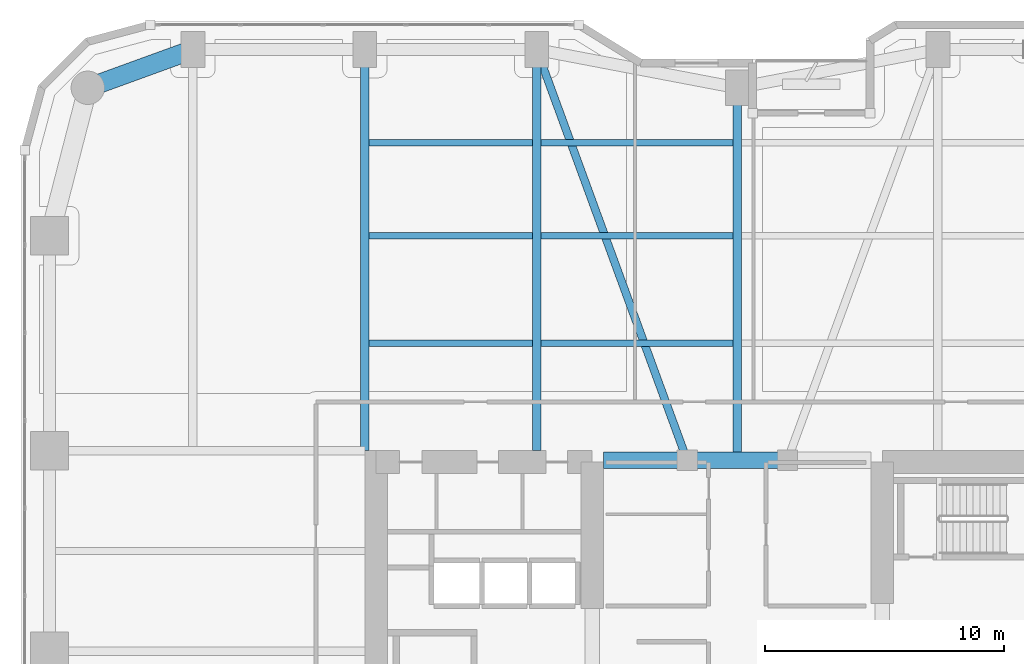
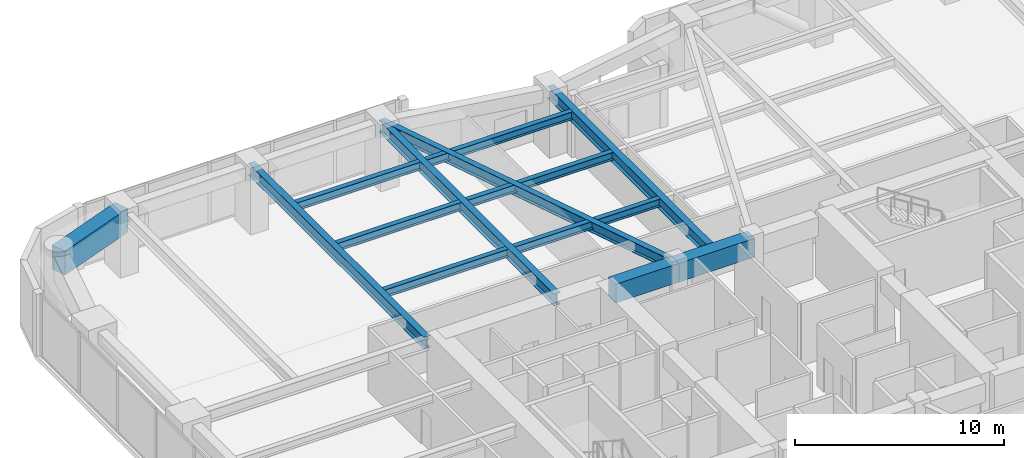
# One storey, part 15 of 29: 13 beams.
"""IFC4 building model written with IfcOpenShell, lengths in metres."""

from ifc_helpers import new_model, si_unit, direction, frame, origin, origin_2d, place, context, subcontext, project, spatial, rectangle, i_section, extrude, material, material_profile, profile_set, type_object, element, save


model = new_model("IFC4")

# Units and contexts
model_context = context("Model", 3, precision=1e-05, world=origin(), true_north=direction((0.0, 1.0)))
body_context = subcontext(model_context, "Body", "Model", "MODEL_VIEW")
ifc_project = project(units=[si_unit("LENGTHUNIT", "METRE"), si_unit("AREAUNIT", "SQUARE_METRE"), si_unit("VOLUMEUNIT", "CUBIC_METRE"), si_unit("PLANEANGLEUNIT", "RADIAN"), si_unit("MASSUNIT", "GRAM", prefix="KILO")], contexts=[model_context])

# Site, building, storey
site_placement = place(None, origin())
site = spatial("IfcSite", under=ifc_project, at=site_placement, CompositionType="ELEMENT")
building_placement = place(site_placement, origin())
building = spatial("IfcBuilding", under=site, at=building_placement, Name="Kiyonajd Concourse Tower", CompositionType="ELEMENT")
storey_placement = place(building_placement, frame((0.0, 0.0, 25.5)))
storey = spatial("IfcBuildingStorey", under=building, at=storey_placement, Name="L07", CompositionType="ELEMENT", Elevation=25.5)

# Beams
ifc_material_1 = material(Name="Concrete C70/85", Category="concrete")
ifc_material_profile_1 = material_profile(ifc_material_1, rectangle(XDim=0.699951171875, YDim=1.10009765625, at=origin_2d()), Name="RCBM-700x1100")
ifc_profile_set_1 = profile_set([ifc_material_profile_1], Name="Concrete C70/85")
beam_type_1 = type_object("IfcBeamType", Name="BM-COUP-1100", PredefinedType="LINTEL", material=ifc_profile_set_1)
beam_1_placement = place(storey_placement, frame((42.39990234375, 44.0, 3.090087890625), z_axis=(1.0, 0.0, 0.0), x_axis=(0.0, 1.0, 0.0)))
element("IfcBeam", 1, at=beam_1_placement, inside=storey, type_object=beam_type_1, Name="L07 Core Coupling Beam N1", PredefinedType="LINTEL", context=body_context, shape_type="SweptSolid", body=[
    extrude(rectangle(XDim=0.699951171875, YDim=1.10009765625, at=origin_2d()), origin(), (0.0, 0.0, 1.0), 3.5),
])
beam_2_placement = place(storey_placement, frame((45.89990234375, 44.0, 3.090087890625), z_axis=(1.0, 0.0, 0.0), x_axis=(0.0, 1.0, 0.0)))
element("IfcBeam", 2, at=beam_2_placement, inside=storey, type_object=beam_type_1, Name="L07 Core Coupling Beam N2", PredefinedType="LINTEL", context=body_context, shape_type="SweptSolid", body=[
    extrude(rectangle(XDim=0.699951171875, YDim=1.10009765625, at=origin_2d()), origin(), (0.0, 0.0, 1.0), 4.2001953125),
])
ifc_material_2 = material(Name="Steel ASTM A992 Grade 50", Category="steel")
ifc_material_profile_2 = material_profile(ifc_material_2, i_section(OverallWidth=0.280029296875, OverallDepth=0.462890625, WebThickness=0.0107421875, FlangeThickness=0.017333984375, at=origin_2d()), Name="W460X113")
ifc_profile_set_2 = profile_set([ifc_material_profile_2], Name="Steel ASTM A992 Grade 50")
beam_type_2 = type_object("IfcBeamType", Name="BM-JST-460A", PredefinedType="JOIST", material=ifc_profile_set_2)
beam_3_placement = place(storey_placement, frame((32.577392578125, 48.89990234375, 3.408447265625), z_axis=(1.0, 0.0, 0.0), x_axis=(0.0, 1.0, 0.0)))
element("IfcBeam", 3, at=beam_3_placement, inside=storey, type_object=beam_type_2, Name="L07 Secondary Floor Joist", PredefinedType="JOIST", context=body_context, shape_type="SweptSolid", body=[
    extrude(i_section(OverallWidth=0.280029296875, OverallDepth=0.462890625, WebThickness=0.0107421875, FlangeThickness=0.017333984375, at=origin_2d()), origin(), (0.0, 0.0, 1.0), 6.84521484375),
])
beam_4_placement = place(storey_placement, frame((39.777587890625, 48.89990234375, 3.408447265625), z_axis=(1.0, 0.0, 0.0), x_axis=(0.0, 1.0, 0.0)))
element("IfcBeam", 4, at=beam_4_placement, inside=storey, type_object=beam_type_2, Name="L07 Secondary Floor Joist", PredefinedType="JOIST", context=body_context, shape_type="SweptSolid", body=[
    extrude(i_section(OverallWidth=0.280029296875, OverallDepth=0.462890625, WebThickness=0.0107421875, FlangeThickness=0.017333984375, at=origin_2d()), origin(), (0.0, 0.0, 1.0), 8.044921875),
])
beam_5_placement = place(storey_placement, frame((32.577392578125, 53.39990234375, 3.408447265625), z_axis=(1.0, 0.0, 0.0), x_axis=(0.0, 1.0, 0.0)))
element("IfcBeam", 5, at=beam_5_placement, inside=storey, type_object=beam_type_2, Name="L07 Secondary Floor Joist", PredefinedType="JOIST", context=body_context, shape_type="SweptSolid", body=[
    extrude(i_section(OverallWidth=0.280029296875, OverallDepth=0.462890625, WebThickness=0.0107421875, FlangeThickness=0.017333984375, at=origin_2d()), origin(), (0.0, 0.0, 1.0), 6.84521484375),
])
beam_6_placement = place(storey_placement, frame((39.777587890625, 53.39990234375, 3.408447265625), z_axis=(1.0, 0.0, 0.0), x_axis=(0.0, 1.0, 0.0)))
element("IfcBeam", 6, at=beam_6_placement, inside=storey, type_object=beam_type_2, Name="L07 Secondary Floor Joist", PredefinedType="JOIST", context=body_context, shape_type="SweptSolid", body=[
    extrude(i_section(OverallWidth=0.280029296875, OverallDepth=0.462890625, WebThickness=0.0107421875, FlangeThickness=0.017333984375, at=origin_2d()), origin(), (0.0, 0.0, 1.0), 8.044921875),
])
beam_7_placement = place(storey_placement, frame((32.577392578125, 57.300048828125, 3.408447265625), z_axis=(1.0, 0.0, 0.0), x_axis=(0.0, 1.0, 0.0)))
element("IfcBeam", 7, at=beam_7_placement, inside=storey, type_object=beam_type_2, Name="L07 Secondary Floor Joist", PredefinedType="JOIST", context=body_context, shape_type="SweptSolid", body=[
    extrude(i_section(OverallWidth=0.280029296875, OverallDepth=0.462890625, WebThickness=0.0107421875, FlangeThickness=0.017333984375, at=origin_2d()), origin(), (0.0, 0.0, 1.0), 6.84521484375),
])
beam_8_placement = place(storey_placement, frame((39.777587890625, 57.300048828125, 3.408447265625), z_axis=(1.0, 0.0, 0.0), x_axis=(0.0, 1.0, 0.0)))
element("IfcBeam", 8, at=beam_8_placement, inside=storey, type_object=beam_type_2, Name="L07 Secondary Floor Joist", PredefinedType="JOIST", context=body_context, shape_type="SweptSolid", body=[
    extrude(i_section(OverallWidth=0.280029296875, OverallDepth=0.462890625, WebThickness=0.0107421875, FlangeThickness=0.017333984375, at=origin_2d()), origin(), (0.0, 0.0, 1.0), 8.044921875),
])
ifc_material_profile_3 = material_profile(ifc_material_2, i_section(OverallWidth=0.326904296875, OverallDepth=0.6220703125, WebThickness=0.015380859375, FlangeThickness=0.0244140625, at=origin_2d()), Name="W610X195")
ifc_profile_set_3 = profile_set([ifc_material_profile_3], Name="Steel ASTM A992 Grade 50")
beam_type_3 = type_object("IfcBeamType", Name="BM-TWR-610A", PredefinedType="BEAM", material=ifc_profile_set_3)
beam_9_placement = place(storey_placement, frame((39.60009765625, 61.199951171875, 3.3291015625), z_axis=(0.343925269715, -0.938997022813, 0.0), x_axis=(0.938997022813, 0.343925269715, 0.0)))
element("IfcBeam", 9, at=beam_9_placement, inside=storey, type_object=beam_type_3, Name="L07 Core Tie Girder", PredefinedType="BEAM", context=body_context, shape_type="SweptSolid", body=[
    extrude(i_section(OverallWidth=0.326904296875, OverallDepth=0.6220703125, WebThickness=0.015380859375, FlangeThickness=0.0244140625, at=origin_2d()), origin(), (0.0, 0.0, 1.0), 18.3173828125),
])
ifc_material_profile_4 = material_profile(ifc_material_2, i_section(OverallWidth=0.35498046875, OverallDepth=0.695068359375, WebThickness=0.015380859375, FlangeThickness=0.02490234375, at=origin_2d()), Name="W690X217")
ifc_profile_set_4 = profile_set([ifc_material_profile_4], Name="Steel ASTM A992 Grade 50")
beam_type_4 = type_object("IfcBeamType", Name="BM-TWR-690", PredefinedType="BEAM", material=ifc_profile_set_4)
for number, where, z_axis, x_axis, name in (
    (10, (32.39990234375, 44.39990234375, 3.29248046875), (0.0, 1.0, 0.0), (-1.0, 0.0, 0.0), "L07 North Lease Girder"),
    (11, (39.60009765625, 44.39990234375, 3.29248046875), (0.0, 1.0, 0.0), (-1.0, 0.0, 0.0), "L07 North Lease Girder"),
):
    element("IfcBeam", number, at=place(storey_placement, frame(where, z_axis=z_axis, x_axis=x_axis)), inside=storey, type_object=beam_type_4, Name=name, PredefinedType="BEAM", context=body_context, shape_type="SweptSolid", body=[
        extrude(i_section(OverallWidth=0.35498046875, OverallDepth=0.695068359375, WebThickness=0.015380859375, FlangeThickness=0.02490234375, at=origin_2d()), origin(), (0.0, 0.0, 1.0), 16.800048828125),
    ])
beam_10_placement = place(storey_placement, frame((48.0, 44.0, 3.29248046875), z_axis=(0.0, 1.0, 0.0), x_axis=(-1.0, 0.0, 0.0)))
element("IfcBeam", 12, at=beam_10_placement, inside=storey, type_object=beam_type_4, Name="L07 North Ribbon Girder", PredefinedType="BEAM", context=body_context, shape_type="SweptSolid", body=[
    extrude(i_section(OverallWidth=0.35498046875, OverallDepth=0.695068359375, WebThickness=0.015380859375, FlangeThickness=0.02490234375, at=origin_2d()), origin(), (0.0, 0.0, 1.0), 15.60009765625),
])
ifc_material_3 = material(Name="Concrete C60/75", Category="concrete")
ifc_material_profile_5 = material_profile(ifc_material_3, rectangle(XDim=0.800048828125, YDim=1.39990234375, at=origin_2d()), Name="RCBM-800x1400")
ifc_profile_set_5 = profile_set([ifc_material_profile_5], Name="Concrete C60/75")
beam_type_5 = type_object("IfcBeamType", Name="BM-XFER-RC", PredefinedType="BEAM", material=ifc_profile_set_5)
beam_11_placement = place(storey_placement, frame((25.199951171875, 61.199951171875, 2.93994140625), z_axis=(-0.939801036019, -0.341722127901, 0.0), x_axis=(0.341722127901, -0.939801036019, 0.0)))
element("IfcBeam", 13, at=beam_11_placement, inside=storey, type_object=beam_type_5, Name="L07 Perimeter Bundled Tube Spandrel", PredefinedType="BEAM", context=body_context, shape_type="SweptSolid", body=[
    extrude(rectangle(XDim=0.800048828125, YDim=1.39990234375, at=origin_2d()), origin(), (0.0, 0.0, 1.0), 4.681640625),
])

save(model, "model.ifc")
